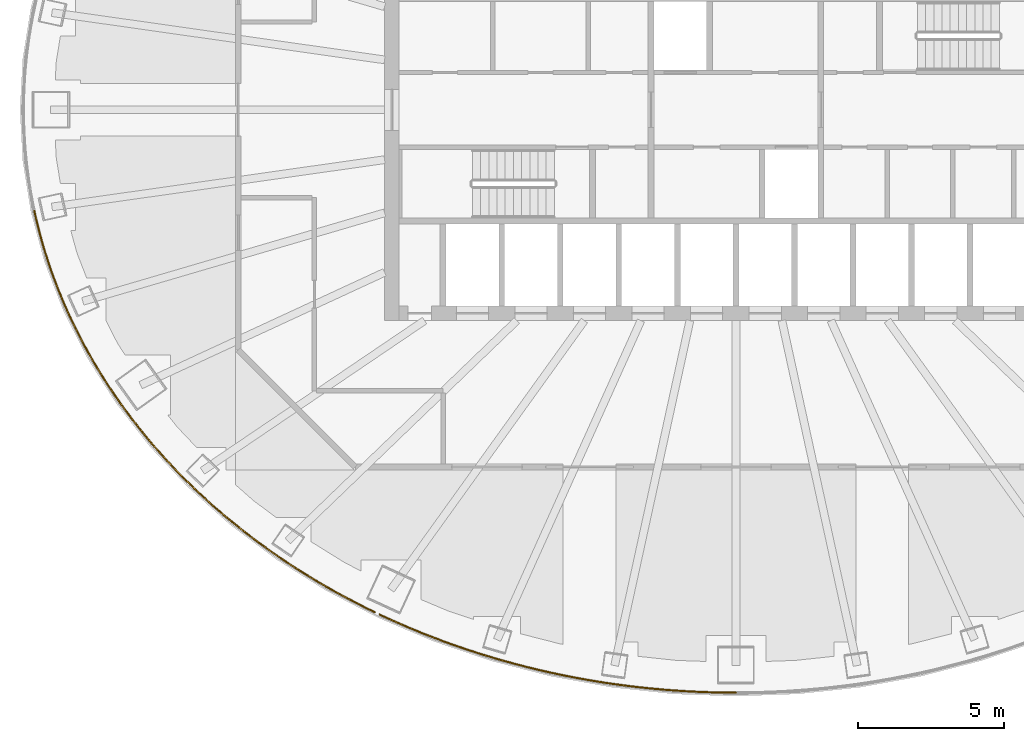
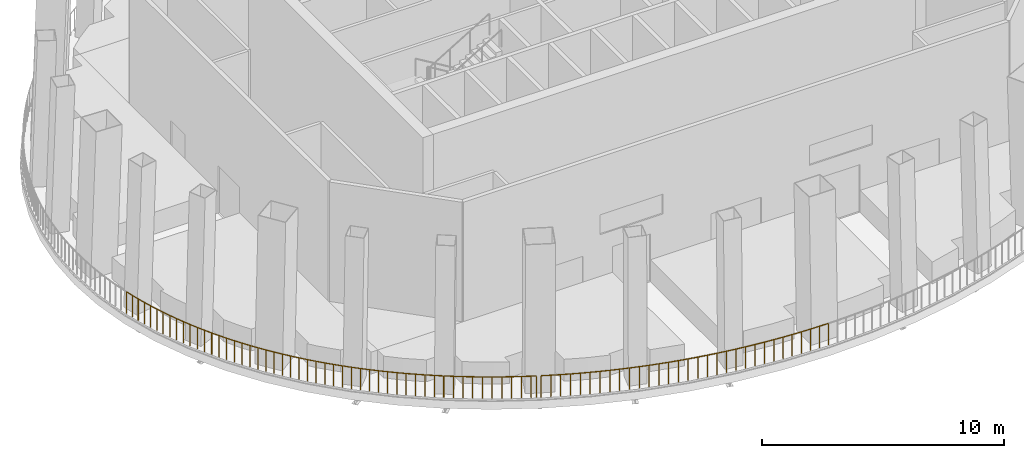
# One storey, part 8 of 15: 8 railings.
"""IFC4 building model written with IfcOpenShell, lengths in metres."""

from ifc_helpers import new_model, si_unit, direction, frame, origin, origin_2d, place, context, subcontext, project, spatial, circle, extrude, material, type_object, element, save


model = new_model("IFC4")

# Units and contexts
model_context = context("Model", 3, precision=1e-05, world=origin(), true_north=direction((0.0, 1.0)))
body_context = subcontext(model_context, "Body", "Model", "MODEL_VIEW")
ifc_project = project(units=[si_unit("LENGTHUNIT", "METRE"), si_unit("AREAUNIT", "SQUARE_METRE"), si_unit("VOLUMEUNIT", "CUBIC_METRE"), si_unit("PLANEANGLEUNIT", "RADIAN"), si_unit("MASSUNIT", "GRAM", prefix="KILO")], contexts=[model_context])

# Site, building, storey
site_placement = place(None, origin())
site = spatial("IfcSite", under=ifc_project, at=site_placement, CompositionType="ELEMENT")
building_placement = place(site_placement, origin())
building = spatial("IfcBuilding", under=site, at=building_placement, Name="Siaravel Broadcast Tower", CompositionType="ELEMENT")
storey_placement = place(building_placement, frame((0.0, 0.0, 145.199951171875)))
storey = spatial("IfcBuildingStorey", under=building, at=storey_placement, Name="L35", CompositionType="ELEMENT", Elevation=145.199951171875)

# Railings
ifc_material = material(Name="Steel S355", Category="steel")
railing_type = type_object("IfcRailingType", Name="Guard 1100", PredefinedType="GUARDRAIL", material=ifc_material)
railing_1_placement = place(storey_placement, frame((-23.963134765625, -3.457275390625, 0.080078125)))
element("IfcRailing", 1, at=railing_1_placement, inside=storey, type_object=railing_type, Name="L35 sky garden guard 20", PredefinedType="GUARDRAIL", context=body_context, shape_type="SweptSolid", body=[
    extrude(circle(Radius=0.02392578125, at=origin_2d()), frame((0.0, 0.0, 1.076171875), z_axis=(0.220988304, -0.975276458, 0.0), x_axis=(0.975276458, 0.220988304, 0.0)), (0.0, 0.0, 1.0), 0.35009765625),
    extrude(circle(Radius=0.02392578125, at=origin_2d()), frame((0.077392578125, -0.341552734375, 1.076171875), z_axis=(0.241389684, -0.970428267, 0.0), x_axis=(0.970428267, 0.241389684, 0.0)), (0.0, 0.0, 1.0), 0.35107421875),
    extrude(circle(Radius=0.02392578125, at=origin_2d()), frame((0.162109375, -0.68212890625, 1.076171875), z_axis=(0.261118919, -0.965306641, 0.0), x_axis=(0.965306641, 0.261118919, 0.0)), (0.0, 0.0, 1.0), 0.3515625),
    extrude(circle(Radius=0.02392578125, at=origin_2d()), frame((0.25390625, -1.021484375, 1.076171875), z_axis=(0.281490592, -0.959563988, 0.0), x_axis=(0.959563988, 0.281490592, 0.0)), (0.0, 0.0, 1.0), 0.35205078125),
    extrude(circle(Radius=0.02392578125, at=origin_2d()), frame((0.35302734375, -1.359375, 1.076171875), z_axis=(0.301661126, -0.953415211, 0.0), x_axis=(0.953415211, 0.301661126, 0.0)), (0.0, 0.0, 1.0), 0.352783203125),
    extrude(circle(Radius=0.02392578125, at=origin_2d()), frame((0.45947265625, -1.69580078125, 1.076171875), z_axis=(0.32119679, -0.947012472, 0.0), x_axis=(0.947012472, 0.32119679, 0.0)), (0.0, 0.0, 1.0), 0.353515625),
    extrude(circle(Radius=0.02392578125, at=origin_2d()), frame((0.572998046875, -2.030517578125, 1.076171875), z_axis=(0.340304572, -0.940315265, 0.0), x_axis=(0.940315265, 0.340304572, 0.0)), (0.0, 0.0, 1.0), 0.3544921875),
    extrude(circle(Radius=0.02392578125, at=origin_2d()), frame((0.693603515625, -2.36376953125, 1.076171875), z_axis=(0.359624078, -0.933097274, 0.0), x_axis=(0.933097274, 0.359624078, 0.0)), (0.0, 0.0, 1.0), 0.35498046875),
    extrude(circle(Radius=0.02392578125, at=origin_2d()), frame((0.8212890625, -2.695068359375, 1.076171875), z_axis=(0.378472655, -0.925612472, 0.0), x_axis=(0.925612472, 0.378472655, 0.0)), (0.0, 0.0, 1.0), 0.35595703125),
    extrude(circle(Radius=0.02392578125, at=origin_2d()), frame((0.9560546875, -3.024658203125, 1.076171875), z_axis=(0.396724251, -0.917937835, 0.0), x_axis=(0.917937835, 0.396724251, 0.0)), (0.0, 0.0, 1.0), 0.35693359375),
    extrude(circle(Radius=0.02099609375, at=origin_2d()), origin(), (0.0, 0.0, 1.0), 1.052001953125),
    extrude(circle(Radius=0.02099609375, at=origin_2d()), frame((0.077392578125, -0.341552734375, 0.0)), (0.0, 0.0, 1.0), 1.052001953125),
    extrude(circle(Radius=0.02099609375, at=origin_2d()), frame((0.162109375, -0.68212890625, 0.0)), (0.0, 0.0, 1.0), 1.052001953125),
    extrude(circle(Radius=0.02099609375, at=origin_2d()), frame((0.25390625, -1.021484375, 0.0)), (0.0, 0.0, 1.0), 1.052001953125),
    extrude(circle(Radius=0.02099609375, at=origin_2d()), frame((0.35302734375, -1.359375, 0.0)), (0.0, 0.0, 1.0), 1.052001953125),
    extrude(circle(Radius=0.02099609375, at=origin_2d()), frame((0.45947265625, -1.69580078125, 0.0)), (0.0, 0.0, 1.0), 1.052001953125),
    extrude(circle(Radius=0.02099609375, at=origin_2d()), frame((0.572998046875, -2.030517578125, 0.0)), (0.0, 0.0, 1.0), 1.052001953125),
    extrude(circle(Radius=0.02099609375, at=origin_2d()), frame((0.693603515625, -2.36376953125, 0.0)), (0.0, 0.0, 1.0), 1.052001953125),
    extrude(circle(Radius=0.02099609375, at=origin_2d()), frame((0.8212890625, -2.695068359375, 0.0)), (0.0, 0.0, 1.0), 1.052001953125),
    extrude(circle(Radius=0.02099609375, at=origin_2d()), frame((0.9560546875, -3.024658203125, 0.0)), (0.0, 0.0, 1.0), 1.052001953125),
    extrude(circle(Radius=0.02099609375, at=origin_2d()), frame((1.09765625, -3.352294921875, 0.0)), (0.0, 0.0, 1.0), 1.052001953125),
])
railing_2_placement = place(storey_placement, frame((-22.865478515625, -6.8095703125, 0.080078125)))
element("IfcRailing", 2, at=railing_2_placement, inside=storey, type_object=railing_type, Name="L35 sky garden guard 21", PredefinedType="GUARDRAIL", context=body_context, shape_type="SweptSolid", body=[
    extrude(circle(Radius=0.02392578125, at=origin_2d()), frame((0.0, 0.0, 1.076171875), z_axis=(0.416114394, -0.909312274, 0.0), x_axis=(0.909312274, 0.416114394, 0.0)), (0.0, 0.0, 1.0), 0.35791015625),
    extrude(circle(Radius=0.02392578125, at=origin_2d()), frame((0.14892578125, -0.325439453125, 1.076171875), z_axis=(0.43354957, -0.901129719, 0.0), x_axis=(0.901129719, 0.43354957, 0.0)), (0.0, 0.0, 1.0), 0.358642578125),
    extrude(circle(Radius=0.02392578125, at=origin_2d()), frame((0.304443359375, -0.648681640625, 1.076171875), z_axis=(0.451820833, -0.892108701, 0.0), x_axis=(0.892108701, 0.451820833, 0.0)), (0.0, 0.0, 1.0), 0.35986328125),
    extrude(circle(Radius=0.02392578125, at=origin_2d()), frame((0.467041015625, -0.9697265625, 1.076171875), z_axis=(0.469534429, -0.882914164, 0.0), x_axis=(0.882914164, 0.469534429, 0.0)), (0.0, 0.0, 1.0), 0.36083984375),
    extrude(circle(Radius=0.02392578125, at=origin_2d()), frame((0.636474609375, -1.288330078125, 1.076171875), z_axis=(0.486158101, -0.873870872, 0.0), x_axis=(0.873870872, 0.486158101, 0.0)), (0.0, 0.0, 1.0), 0.362060546875),
    extrude(circle(Radius=0.02392578125, at=origin_2d()), frame((0.8125, -1.604736328125, 1.076171875), z_axis=(0.503871026, -0.863778901, 0.0), x_axis=(0.863778901, 0.503871026, 0.0)), (0.0, 0.0, 1.0), 0.36279296875),
    extrude(circle(Radius=0.02392578125, at=origin_2d()), frame((0.995361328125, -1.918212890625, 1.076171875), z_axis=(0.520202124, -0.854043178, 0.0), x_axis=(0.854043178, 0.520202124, 0.0)), (0.0, 0.0, 1.0), 0.3642578125),
    extrude(circle(Radius=0.02392578125, at=origin_2d()), frame((1.184814453125, -2.229248046875, 1.076171875), z_axis=(0.536832233, -0.843689014, 0.0), x_axis=(0.843689014, 0.536832233, 0.0)), (0.0, 0.0, 1.0), 0.365234375),
    extrude(circle(Radius=0.02392578125, at=origin_2d()), frame((1.380859375, -2.537353515625, 1.076171875), z_axis=(0.552854278, -0.833277953, 0.0), x_axis=(0.833277953, 0.552854278, 0.0)), (0.0, 0.0, 1.0), 0.366455078125),
    extrude(circle(Radius=0.02392578125, at=origin_2d()), frame((1.58349609375, -2.8427734375, 1.076171875), z_axis=(0.56886476, -0.822431082, 0.0), x_axis=(0.822431082, 0.56886476, 0.0)), (0.0, 0.0, 1.0), 0.367919921875),
    extrude(circle(Radius=0.02099609375, at=origin_2d()), origin(), (0.0, 0.0, 1.0), 1.052001953125),
    extrude(circle(Radius=0.02099609375, at=origin_2d()), frame((0.14892578125, -0.325439453125, 0.0)), (0.0, 0.0, 1.0), 1.052001953125),
    extrude(circle(Radius=0.02099609375, at=origin_2d()), frame((0.304443359375, -0.648681640625, 0.0)), (0.0, 0.0, 1.0), 1.052001953125),
    extrude(circle(Radius=0.02099609375, at=origin_2d()), frame((0.467041015625, -0.9697265625, 0.0)), (0.0, 0.0, 1.0), 1.052001953125),
    extrude(circle(Radius=0.02099609375, at=origin_2d()), frame((0.636474609375, -1.288330078125, 0.0)), (0.0, 0.0, 1.0), 1.052001953125),
    extrude(circle(Radius=0.02099609375, at=origin_2d()), frame((0.8125, -1.604736328125, 0.0)), (0.0, 0.0, 1.0), 1.052001953125),
    extrude(circle(Radius=0.02099609375, at=origin_2d()), frame((0.995361328125, -1.918212890625, 0.0)), (0.0, 0.0, 1.0), 1.052001953125),
    extrude(circle(Radius=0.02099609375, at=origin_2d()), frame((1.184814453125, -2.229248046875, 0.0)), (0.0, 0.0, 1.0), 1.052001953125),
    extrude(circle(Radius=0.02099609375, at=origin_2d()), frame((1.380859375, -2.537353515625, 0.0)), (0.0, 0.0, 1.0), 1.052001953125),
    extrude(circle(Radius=0.02099609375, at=origin_2d()), frame((1.58349609375, -2.8427734375, 0.0)), (0.0, 0.0, 1.0), 1.052001953125),
    extrude(circle(Radius=0.02099609375, at=origin_2d()), frame((1.792724609375, -3.145263671875, 0.0)), (0.0, 0.0, 1.0), 1.052001953125),
])
railing_3_placement = place(storey_placement, frame((-21.07275390625, -9.954833984375, 0.080078125)))
element("IfcRailing", 3, at=railing_3_placement, inside=storey, type_object=railing_type, Name="L35 sky garden guard 22", PredefinedType="GUARDRAIL", context=body_context, shape_type="SweptSolid", body=[
    extrude(circle(Radius=0.02392578125, at=origin_2d()), frame((0.0, 0.0, 1.076171875), z_axis=(0.583990715, -0.811760337, 0.0), x_axis=(0.811760337, 0.583990715, 0.0)), (0.0, 0.0, 1.0), 0.36865234375),
    extrude(circle(Radius=0.02392578125, at=origin_2d()), frame((0.21533203125, -0.29931640625, 1.076171875), z_axis=(0.599366818, -0.800474496, 0.0), x_axis=(0.800474496, 0.599366818, 0.0)), (0.0, 0.0, 1.0), 0.370361328125),
    extrude(circle(Radius=0.02392578125, at=origin_2d()), frame((0.437255859375, -0.595703125, 1.076171875), z_axis=(0.614623017, -0.788820985, 0.0), x_axis=(0.788820985, 0.614623017, 0.0)), (0.0, 0.0, 1.0), 0.371337890625),
    extrude(circle(Radius=0.02392578125, at=origin_2d()), frame((0.66552734375, -0.888671875, 1.076171875), z_axis=(0.628840132, -0.777534622, 0.0), x_axis=(0.777534622, 0.628840132, 0.0)), (0.0, 0.0, 1.0), 0.372802734375),
    extrude(circle(Radius=0.02392578125, at=origin_2d()), frame((0.89990234375, -1.178466796875, 1.076171875), z_axis=(0.64306959, -0.765807745, 0.0), x_axis=(0.765807745, 0.64306959, 0.0)), (0.0, 0.0, 1.0), 0.3740234375),
    extrude(circle(Radius=0.02392578125, at=origin_2d()), frame((1.140380859375, -1.46484375, 1.076171875), z_axis=(0.65735304, -0.753582763, 0.0), x_axis=(0.753582763, 0.65735304, 0.0)), (0.0, 0.0, 1.0), 0.37548828125),
    extrude(circle(Radius=0.02392578125, at=origin_2d()), frame((1.38720703125, -1.747802734375, 1.076171875), z_axis=(0.670539669, -0.741873677, 0.0), x_axis=(0.741873677, 0.670539669, 0.0)), (0.0, 0.0, 1.0), 0.37646484375),
    extrude(circle(Radius=0.02392578125, at=origin_2d()), frame((1.6396484375, -2.027099609375, 1.076171875), z_axis=(0.684134508, -0.729355863, 0.0), x_axis=(0.729355863, 0.684134508, 0.0)), (0.0, 0.0, 1.0), 0.3779296875),
    extrude(circle(Radius=0.02392578125, at=origin_2d()), frame((1.898193359375, -2.302734375, 1.076171875), z_axis=(0.697060011, -0.71701279, 0.0), x_axis=(0.71701279, 0.697060011, 0.0)), (0.0, 0.0, 1.0), 0.37939453125),
    extrude(circle(Radius=0.02392578125, at=origin_2d()), frame((2.16259765625, -2.57470703125, 1.076171875), z_axis=(0.709987017, -0.704214765, 0.0), x_axis=(0.704214765, 0.709987017, 0.0)), (0.0, 0.0, 1.0), 0.380615234375),
    extrude(circle(Radius=0.02099609375, at=origin_2d()), origin(), (0.0, 0.0, 1.0), 1.052001953125),
    extrude(circle(Radius=0.02099609375, at=origin_2d()), frame((0.21533203125, -0.29931640625, 0.0)), (0.0, 0.0, 1.0), 1.052001953125),
    extrude(circle(Radius=0.02099609375, at=origin_2d()), frame((0.437255859375, -0.595703125, 0.0)), (0.0, 0.0, 1.0), 1.052001953125),
    extrude(circle(Radius=0.02099609375, at=origin_2d()), frame((0.66552734375, -0.888671875, 0.0)), (0.0, 0.0, 1.0), 1.052001953125),
    extrude(circle(Radius=0.02099609375, at=origin_2d()), frame((0.89990234375, -1.178466796875, 0.0)), (0.0, 0.0, 1.0), 1.052001953125),
    extrude(circle(Radius=0.02099609375, at=origin_2d()), frame((1.140380859375, -1.46484375, 0.0)), (0.0, 0.0, 1.0), 1.052001953125),
    extrude(circle(Radius=0.02099609375, at=origin_2d()), frame((1.38720703125, -1.747802734375, 0.0)), (0.0, 0.0, 1.0), 1.052001953125),
    extrude(circle(Radius=0.02099609375, at=origin_2d()), frame((1.6396484375, -2.027099609375, 0.0)), (0.0, 0.0, 1.0), 1.052001953125),
    extrude(circle(Radius=0.02099609375, at=origin_2d()), frame((1.898193359375, -2.302734375, 0.0)), (0.0, 0.0, 1.0), 1.052001953125),
    extrude(circle(Radius=0.02099609375, at=origin_2d()), frame((2.16259765625, -2.57470703125, 0.0)), (0.0, 0.0, 1.0), 1.052001953125),
    extrude(circle(Radius=0.02099609375, at=origin_2d()), frame((2.432861328125, -2.8427734375, 0.0)), (0.0, 0.0, 1.0), 1.052001953125),
])
railing_4_placement = place(storey_placement, frame((-18.639892578125, -12.797607421875, 0.080078125)))
element("IfcRailing", 4, at=railing_4_placement, inside=storey, type_object=railing_type, Name="L35 sky garden guard 23", PredefinedType="GUARDRAIL", context=body_context, shape_type="SweptSolid", body=[
    extrude(circle(Radius=0.02392578125, at=origin_2d()), frame((0.0, 0.0, 1.076171875), z_axis=(0.721655507, -0.69225236, 0.0), x_axis=(0.69225236, 0.721655507, 0.0)), (0.0, 0.0, 1.0), 0.3818359375),
    extrude(circle(Radius=0.02392578125, at=origin_2d()), frame((0.275634765625, -0.264404296875, 1.076171875), z_axis=(0.734583574, -0.678518219, 0.0), x_axis=(0.678518219, 0.734583574, 0.0)), (0.0, 0.0, 1.0), 0.38330078125),
    extrude(circle(Radius=0.02392578125, at=origin_2d()), frame((0.55712890625, -0.5244140625, 1.076171875), z_axis=(0.745656101, -0.666330984, 0.0), x_axis=(0.666330984, 0.745656101, 0.0)), (0.0, 0.0, 1.0), 0.384765625),
    extrude(circle(Radius=0.02392578125, at=origin_2d()), frame((0.843994140625, -0.78076171875, 1.076171875), z_axis=(0.75737759, -0.652977171, 0.0), x_axis=(0.652977171, 0.75737759, 0.0)), (0.0, 0.0, 1.0), 0.3857421875),
    extrude(circle(Radius=0.02392578125, at=origin_2d()), frame((1.13623046875, -1.03271484375, 1.076171875), z_axis=(0.768737515, -0.639564408, 0.0), x_axis=(0.639564408, 0.768737515, 0.0)), (0.0, 0.0, 1.0), 0.387451171875),
    extrude(circle(Radius=0.02392578125, at=origin_2d()), frame((1.43408203125, -1.280517578125, 1.076171875), z_axis=(0.779026654, -0.626990807, 0.0), x_axis=(0.626990807, 0.779026654, 0.0)), (0.0, 0.0, 1.0), 0.388671875),
    extrude(circle(Radius=0.02392578125, at=origin_2d()), frame((1.73681640625, -1.524169921875, 1.076171875), z_axis=(0.78982378, -0.613333838, 0.0), x_axis=(0.613333838, 0.78982378, 0.0)), (0.0, 0.0, 1.0), 0.39013671875),
    extrude(circle(Radius=0.02392578125, at=origin_2d()), frame((2.044921875, -1.763427734375, 1.076171875), z_axis=(0.800374142, -0.599500819, 0.0), x_axis=(0.599500819, 0.800374142, 0.0)), (0.0, 0.0, 1.0), 0.391357421875),
    extrude(circle(Radius=0.02392578125, at=origin_2d()), frame((2.358154296875, -1.998046875, 1.076171875), z_axis=(0.809891172, -0.586580165, 0.0), x_axis=(0.586580165, 0.809891172, 0.0)), (0.0, 0.0, 1.0), 0.392578125),
    extrude(circle(Radius=0.02392578125, at=origin_2d()), frame((2.676025390625, -2.228271484375, 1.076171875), z_axis=(0.819449012, -0.573152089, 0.0), x_axis=(0.573152089, 0.819449012, 0.0)), (0.0, 0.0, 1.0), 0.36962890625),
    extrude(circle(Radius=0.02099609375, at=origin_2d()), origin(), (0.0, 0.0, 1.0), 1.052001953125),
    extrude(circle(Radius=0.02099609375, at=origin_2d()), frame((0.275634765625, -0.264404296875, 0.0)), (0.0, 0.0, 1.0), 1.052001953125),
    extrude(circle(Radius=0.02099609375, at=origin_2d()), frame((0.55712890625, -0.5244140625, 0.0)), (0.0, 0.0, 1.0), 1.052001953125),
    extrude(circle(Radius=0.02099609375, at=origin_2d()), frame((0.843994140625, -0.78076171875, 0.0)), (0.0, 0.0, 1.0), 1.052001953125),
    extrude(circle(Radius=0.02099609375, at=origin_2d()), frame((1.13623046875, -1.03271484375, 0.0)), (0.0, 0.0, 1.0), 1.052001953125),
    extrude(circle(Radius=0.02099609375, at=origin_2d()), frame((1.43408203125, -1.280517578125, 0.0)), (0.0, 0.0, 1.0), 1.052001953125),
    extrude(circle(Radius=0.02099609375, at=origin_2d()), frame((1.73681640625, -1.524169921875, 0.0)), (0.0, 0.0, 1.0), 1.052001953125),
    extrude(circle(Radius=0.02099609375, at=origin_2d()), frame((2.044921875, -1.763427734375, 0.0)), (0.0, 0.0, 1.0), 1.052001953125),
    extrude(circle(Radius=0.02099609375, at=origin_2d()), frame((2.358154296875, -1.998046875, 0.0)), (0.0, 0.0, 1.0), 1.052001953125),
    extrude(circle(Radius=0.02099609375, at=origin_2d()), frame((2.676025390625, -2.228271484375, 0.0)), (0.0, 0.0, 1.0), 1.052001953125),
    extrude(circle(Radius=0.02099609375, at=origin_2d()), frame((2.97900390625, -2.440185546875, 0.0)), (0.0, 0.0, 1.0), 1.052001953125),
])
railing_5_placement = place(storey_placement, frame((-15.639892578125, -15.252197265625, 0.080078125)))
element("IfcRailing", 5, at=railing_5_placement, inside=storey, type_object=railing_type, Name="L35 sky garden guard 24", PredefinedType="GUARDRAIL", context=body_context, shape_type="SweptSolid", body=[
    extrude(circle(Radius=0.02392578125, at=origin_2d()), frame((0.0, 0.0, 1.076171875), z_axis=(0.829085479, -0.559121873, 0.0), x_axis=(0.559121873, 0.829085479, 0.0)), (0.0, 0.0, 1.0), 0.394287109375),
    extrude(circle(Radius=0.02392578125, at=origin_2d()), frame((0.326904296875, -0.220458984375, 1.076171875), z_axis=(0.838063561, -0.545572605, 0.0), x_axis=(0.545572605, 0.838063561, 0.0)), (0.0, 0.0, 1.0), 0.396484375),
    extrude(circle(Radius=0.02392578125, at=origin_2d()), frame((0.6591796875, -0.436767578125, 1.076171875), z_axis=(0.847031383, -0.531542882, 0.0), x_axis=(0.531542882, 0.847031383, 0.0)), (0.0, 0.0, 1.0), 0.397705078125),
    extrude(circle(Radius=0.02392578125, at=origin_2d()), frame((0.99609375, -0.648193359375, 1.076171875), z_axis=(0.855271779, -0.518179683, 0.0), x_axis=(0.518179683, 0.855271779, 0.0)), (0.0, 0.0, 1.0), 0.399169921875),
    extrude(circle(Radius=0.02392578125, at=origin_2d()), frame((1.33740234375, -0.85498046875, 1.076171875), z_axis=(0.863513365, -0.504325955, 0.0), x_axis=(0.504325955, 0.863513365, 0.0)), (0.0, 0.0, 1.0), 0.400390625),
    extrude(circle(Radius=0.02392578125, at=origin_2d()), frame((1.68310546875, -1.056884765625, 1.076171875), z_axis=(0.871737838, -0.489972592, 0.0), x_axis=(0.489972592, 0.871737838, 0.0)), (0.0, 0.0, 1.0), 0.401611328125),
    extrude(circle(Radius=0.02392578125, at=origin_2d()), frame((2.033203125, -1.253662109375, 1.076171875), z_axis=(0.879397774, -0.47608776, 0.0), x_axis=(0.47608776, 0.879397774, 0.0)), (0.0, 0.0, 1.0), 0.402587890625),
    extrude(circle(Radius=0.02392578125, at=origin_2d()), frame((2.38720703125, -1.4453125, 1.076171875), z_axis=(0.886810939, -0.462132404, 0.0), x_axis=(0.462132404, 0.886810939, 0.0)), (0.0, 0.0, 1.0), 0.404052734375),
    extrude(circle(Radius=0.02392578125, at=origin_2d()), frame((2.74560546875, -1.632080078125, 1.076171875), z_axis=(0.893823666, -0.448418616, 0.0), x_axis=(0.448418616, 0.893823666, 0.0)), (0.0, 0.0, 1.0), 0.405029296875),
    extrude(circle(Radius=0.02392578125, at=origin_2d()), frame((3.107666015625, -1.813720703125, 1.076171875), z_axis=(0.899571677, -0.436773166, 0.0), x_axis=(0.436773166, 0.899571677, 0.0)), (0.0, 0.0, 1.0), 0.2158203125),
    extrude(circle(Radius=0.02099609375, at=origin_2d()), origin(), (0.0, 0.0, 1.0), 1.052001953125),
    extrude(circle(Radius=0.02099609375, at=origin_2d()), frame((0.326904296875, -0.220458984375, 0.0)), (0.0, 0.0, 1.0), 1.052001953125),
    extrude(circle(Radius=0.02099609375, at=origin_2d()), frame((0.6591796875, -0.436767578125, 0.0)), (0.0, 0.0, 1.0), 1.052001953125),
    extrude(circle(Radius=0.02099609375, at=origin_2d()), frame((0.99609375, -0.648193359375, 0.0)), (0.0, 0.0, 1.0), 1.052001953125),
    extrude(circle(Radius=0.02099609375, at=origin_2d()), frame((1.33740234375, -0.85498046875, 0.0)), (0.0, 0.0, 1.0), 1.052001953125),
    extrude(circle(Radius=0.02099609375, at=origin_2d()), frame((1.68310546875, -1.056884765625, 0.0)), (0.0, 0.0, 1.0), 1.052001953125),
    extrude(circle(Radius=0.02099609375, at=origin_2d()), frame((2.033203125, -1.253662109375, 0.0)), (0.0, 0.0, 1.0), 1.052001953125),
    extrude(circle(Radius=0.02099609375, at=origin_2d()), frame((2.38720703125, -1.4453125, 0.0)), (0.0, 0.0, 1.0), 1.052001953125),
    extrude(circle(Radius=0.02099609375, at=origin_2d()), frame((2.74560546875, -1.632080078125, 0.0)), (0.0, 0.0, 1.0), 1.052001953125),
    extrude(circle(Radius=0.02099609375, at=origin_2d()), frame((3.107666015625, -1.813720703125, 0.0)), (0.0, 0.0, 1.0), 1.052001953125),
    extrude(circle(Radius=0.02099609375, at=origin_2d()), frame((3.3017578125, -1.907958984375, 0.0)), (0.0, 0.0, 1.0), 1.052001953125),
])
railing_6_placement = place(storey_placement, frame((-12.16650390625, -17.2421875, 0.080078125)))
element("IfcRailing", 6, at=railing_6_placement, inside=storey, type_object=railing_type, Name="L35 sky garden guard 25", PredefinedType="GUARDRAIL", context=body_context, shape_type="SweptSolid", body=[
    extrude(circle(Radius=0.02392578125, at=origin_2d()), frame((0.0, 0.0, 1.076171875), z_axis=(0.90744998, -0.420160129, 0.0), x_axis=(0.420160129, 0.90744998, 0.0)), (0.0, 0.0, 1.0), 0.4072265625),
    extrude(circle(Radius=0.02392578125, at=origin_2d()), frame((0.36962890625, -0.171142578125, 1.076171875), z_axis=(0.913934751, -0.405861148, 0.0), x_axis=(0.405861148, 0.913934751, 0.0)), (0.0, 0.0, 1.0), 0.408447265625),
    extrude(circle(Radius=0.02392578125, at=origin_2d()), frame((0.742919921875, -0.3369140625, 1.076171875), z_axis=(0.920067764, -0.391759249, 0.0), x_axis=(0.391759249, 0.920067764, 0.0)), (0.0, 0.0, 1.0), 0.409423828125),
    extrude(circle(Radius=0.02392578125, at=origin_2d()), frame((1.11962890625, -0.497314453125, 1.076171875), z_axis=(0.925953766, -0.377636893, 0.0), x_axis=(0.377636893, 0.925953766, 0.0)), (0.0, 0.0, 1.0), 0.41064453125),
    extrude(circle(Radius=0.02392578125, at=origin_2d()), frame((1.499755859375, -0.65234375, 1.076171875), z_axis=(0.931513893, -0.363705743, 0.0), x_axis=(0.363705743, 0.931513893, 0.0)), (0.0, 0.0, 1.0), 0.411376953125),
    extrude(circle(Radius=0.02392578125, at=origin_2d()), frame((1.883056640625, -0.802001953125, 1.076171875), z_axis=(0.937032744, -0.349241516, 0.0), x_axis=(0.349241516, 0.937032744, 0.0)), (0.0, 0.0, 1.0), 0.412353515625),
    extrude(circle(Radius=0.02392578125, at=origin_2d()), frame((2.26953125, -0.946044921875, 1.076171875), z_axis=(0.942048858, -0.335475706, 0.0), x_axis=(0.335475706, 0.942048858, 0.0)), (0.0, 0.0, 1.0), 0.413330078125),
    extrude(circle(Radius=0.02392578125, at=origin_2d()), frame((2.658935546875, -1.084716796875, 1.076171875), z_axis=(0.947020316, -0.321173661, 0.0), x_axis=(0.321173661, 0.947020316, 0.0)), (0.0, 0.0, 1.0), 0.414306640625),
    extrude(circle(Radius=0.02392578125, at=origin_2d()), frame((3.05126953125, -1.2177734375, 1.076171875), z_axis=(0.951869286, -0.306504263, 0.0), x_axis=(0.306504263, 0.951869286, 0.0)), (0.0, 0.0, 1.0), 0.4150390625),
    extrude(circle(Radius=0.02392578125, at=origin_2d()), frame((3.4462890625, -1.344970703125, 1.076171875), z_axis=(0.956196605, -0.292725218, 0.0), x_axis=(0.292725218, 0.956196605, 0.0)), (0.0, 0.0, 1.0), 0.416259765625),
    extrude(circle(Radius=0.02099609375, at=origin_2d()), origin(), (0.0, 0.0, 1.0), 1.052001953125),
    extrude(circle(Radius=0.02099609375, at=origin_2d()), frame((0.36962890625, -0.171142578125, 0.0)), (0.0, 0.0, 1.0), 1.052001953125),
    extrude(circle(Radius=0.02099609375, at=origin_2d()), frame((0.742919921875, -0.3369140625, 0.0)), (0.0, 0.0, 1.0), 1.052001953125),
    extrude(circle(Radius=0.02099609375, at=origin_2d()), frame((1.11962890625, -0.497314453125, 0.0)), (0.0, 0.0, 1.0), 1.052001953125),
    extrude(circle(Radius=0.02099609375, at=origin_2d()), frame((1.499755859375, -0.65234375, 0.0)), (0.0, 0.0, 1.0), 1.052001953125),
    extrude(circle(Radius=0.02099609375, at=origin_2d()), frame((1.883056640625, -0.802001953125, 0.0)), (0.0, 0.0, 1.0), 1.052001953125),
    extrude(circle(Radius=0.02099609375, at=origin_2d()), frame((2.26953125, -0.946044921875, 0.0)), (0.0, 0.0, 1.0), 1.052001953125),
    extrude(circle(Radius=0.02099609375, at=origin_2d()), frame((2.658935546875, -1.084716796875, 0.0)), (0.0, 0.0, 1.0), 1.052001953125),
    extrude(circle(Radius=0.02099609375, at=origin_2d()), frame((3.05126953125, -1.2177734375, 0.0)), (0.0, 0.0, 1.0), 1.052001953125),
    extrude(circle(Radius=0.02099609375, at=origin_2d()), frame((3.4462890625, -1.344970703125, 0.0)), (0.0, 0.0, 1.0), 1.052001953125),
    extrude(circle(Radius=0.02099609375, at=origin_2d()), frame((3.84423828125, -1.466796875, 0.0)), (0.0, 0.0, 1.0), 1.052001953125),
])
railing_7_placement = place(storey_placement, frame((-8.322265625, -18.708984375, 0.080078125)))
element("IfcRailing", 7, at=railing_7_placement, inside=storey, type_object=railing_type, Name="L35 sky garden guard 26", PredefinedType="GUARDRAIL", context=body_context, shape_type="SweptSolid", body=[
    extrude(circle(Radius=0.02392578125, at=origin_2d()), frame((0.0, 0.0, 1.076171875), z_axis=(0.96047772, -0.278356874, 0.0), x_axis=(0.278356874, 0.96047772, 0.0)), (0.0, 0.0, 1.0), 0.41650390625),
    extrude(circle(Radius=0.02392578125, at=origin_2d()), frame((0.400146484375, -0.115966796875, 1.076171875), z_axis=(0.964466449, -0.264205354, 0.0), x_axis=(0.264205354, 0.964466449, 0.0)), (0.0, 0.0, 1.0), 0.417724609375),
    extrude(circle(Radius=0.02392578125, at=origin_2d()), frame((0.802978515625, -0.226318359375, 1.076171875), z_axis=(0.968436589, -0.24926005, 0.0), x_axis=(0.24926005, 0.968436589, 0.0)), (0.0, 0.0, 1.0), 0.418212890625),
    extrude(circle(Radius=0.02392578125, at=origin_2d()), frame((1.2080078125, -0.33056640625, 1.076171875), z_axis=(0.971898599, -0.2353999, 0.0), x_axis=(0.2353999, 0.971898599, 0.0)), (0.0, 0.0, 1.0), 0.4189453125),
    extrude(circle(Radius=0.02392578125, at=origin_2d()), frame((1.615234375, -0.42919921875, 1.076171875), z_axis=(0.975121424, -0.221671398, 0.0), x_axis=(0.221671398, 0.975121424, 0.0)), (0.0, 0.0, 1.0), 0.419677734375),
    extrude(circle(Radius=0.02392578125, at=origin_2d()), frame((2.0244140625, -0.522216796875, 1.076171875), z_axis=(0.978376842, -0.206830259, 0.0), x_axis=(0.206830259, 0.978376842, 0.0)), (0.0, 0.0, 1.0), 0.420166015625),
    extrude(circle(Radius=0.02392578125, at=origin_2d()), frame((2.435546875, -0.609130859375, 1.076171875), z_axis=(0.981178249, -0.19310423, 0.0), x_axis=(0.19310423, 0.981178249, 0.0)), (0.0, 0.0, 1.0), 0.4208984375),
    extrude(circle(Radius=0.02392578125, at=origin_2d()), frame((2.8486328125, -0.6904296875, 1.076171875), z_axis=(0.983943998, -0.178477474, 0.0), x_axis=(0.178477474, 0.983943998, 0.0)), (0.0, 0.0, 1.0), 0.42138671875),
    extrude(circle(Radius=0.02392578125, at=origin_2d()), frame((3.26318359375, -0.765625, 1.076171875), z_axis=(0.986503169, -0.163742168, 0.0), x_axis=(0.163742168, 0.986503169, 0.0)), (0.0, 0.0, 1.0), 0.421875),
    extrude(circle(Radius=0.02392578125, at=origin_2d()), frame((3.679443359375, -0.834716796875, 1.076171875), z_axis=(0.988637523, -0.150319156, 0.0), x_axis=(0.150319156, 0.988637523, 0.0)), (0.0, 0.0, 1.0), 0.42236328125),
    extrude(circle(Radius=0.02099609375, at=origin_2d()), origin(), (0.0, 0.0, 1.0), 1.052001953125),
    extrude(circle(Radius=0.02099609375, at=origin_2d()), frame((0.400146484375, -0.115966796875, 0.0)), (0.0, 0.0, 1.0), 1.052001953125),
    extrude(circle(Radius=0.02099609375, at=origin_2d()), frame((0.802978515625, -0.226318359375, 0.0)), (0.0, 0.0, 1.0), 1.052001953125),
    extrude(circle(Radius=0.02099609375, at=origin_2d()), frame((1.2080078125, -0.33056640625, 0.0)), (0.0, 0.0, 1.0), 1.052001953125),
    extrude(circle(Radius=0.02099609375, at=origin_2d()), frame((1.615234375, -0.42919921875, 0.0)), (0.0, 0.0, 1.0), 1.052001953125),
    extrude(circle(Radius=0.02099609375, at=origin_2d()), frame((2.0244140625, -0.522216796875, 0.0)), (0.0, 0.0, 1.0), 1.052001953125),
    extrude(circle(Radius=0.02099609375, at=origin_2d()), frame((2.435546875, -0.609130859375, 0.0)), (0.0, 0.0, 1.0), 1.052001953125),
    extrude(circle(Radius=0.02099609375, at=origin_2d()), frame((2.8486328125, -0.6904296875, 0.0)), (0.0, 0.0, 1.0), 1.052001953125),
    extrude(circle(Radius=0.02099609375, at=origin_2d()), frame((3.26318359375, -0.765625, 0.0)), (0.0, 0.0, 1.0), 1.052001953125),
    extrude(circle(Radius=0.02099609375, at=origin_2d()), frame((3.679443359375, -0.834716796875, 0.0)), (0.0, 0.0, 1.0), 1.052001953125),
    extrude(circle(Radius=0.02099609375, at=origin_2d()), frame((4.096923828125, -0.898193359375, 0.0)), (0.0, 0.0, 1.0), 1.052001953125),
])
railing_8_placement = place(storey_placement, frame((-4.225341796875, -19.607177734375, 0.080078125)))
element("IfcRailing", 8, at=railing_8_placement, inside=storey, type_object=railing_type, Name="L35 sky garden guard 27", PredefinedType="GUARDRAIL", context=body_context, shape_type="SweptSolid", body=[
    extrude(circle(Radius=0.02392578125, at=origin_2d()), frame((0.0, 0.0, 1.076171875), z_axis=(0.990752712, -0.135680004, 0.0), x_axis=(0.135680004, 0.990752712, 0.0)), (0.0, 0.0, 1.0), 0.4228515625),
    extrude(circle(Radius=0.02392578125, at=origin_2d()), frame((0.4189453125, -0.057373046875, 1.076171875), z_axis=(0.992628954, -0.12119307, 0.0), x_axis=(0.12119307, 0.992628954, 0.0)), (0.0, 0.0, 1.0), 0.423095703125),
    extrude(circle(Radius=0.02392578125, at=origin_2d()), frame((0.8388671875, -0.108642578125, 1.076171875), z_axis=(0.994236972, -0.107204682, 0.0), x_axis=(0.107204682, 0.994236972, 0.0)), (0.0, 0.0, 1.0), 0.423583984375),
    extrude(circle(Radius=0.02392578125, at=origin_2d()), frame((1.260009765625, -0.154052734375, 1.076171875), z_axis=(0.995687611, -0.092769505, 0.0), x_axis=(0.092769505, 0.995687611, 0.0)), (0.0, 0.0, 1.0), 0.423583984375),
    extrude(circle(Radius=0.02392578125, at=origin_2d()), frame((1.681884765625, -0.193359375, 1.076171875), z_axis=(0.996931336, -0.078280982, 0.0), x_axis=(0.078280982, 0.996931336, 0.0)), (0.0, 0.0, 1.0), 0.424072265625),
    extrude(circle(Radius=0.02392578125, at=origin_2d()), frame((2.104736328125, -0.2265625, 1.076171875), z_axis=(0.997918142, -0.064493267, 0.0), x_axis=(0.064493267, 0.997918142, 0.0)), (0.0, 0.0, 1.0), 0.424072265625),
    extrude(circle(Radius=0.02392578125, at=origin_2d()), frame((2.52783203125, -0.25390625, 1.076171875), z_axis=(0.998748034, -0.050023649, 0.0), x_axis=(0.050023649, 0.998748034, 0.0)), (0.0, 0.0, 1.0), 0.424560546875),
    extrude(circle(Radius=0.02392578125, at=origin_2d()), frame((2.951904296875, -0.275146484375, 1.076171875), z_axis=(0.999364318, -0.035650511, 0.0), x_axis=(0.035650511, 0.999364318, 0.0)), (0.0, 0.0, 1.0), 0.424560546875),
    extrude(circle(Radius=0.02392578125, at=origin_2d()), frame((3.376220703125, -0.290283203125, 1.076171875), z_axis=(0.99977347, -0.021284015, 0.0), x_axis=(0.021284015, 0.99977347, 0.0)), (0.0, 0.0, 1.0), 0.42431640625),
    extrude(circle(Radius=0.02392578125, at=origin_2d()), frame((3.800537109375, -0.29931640625, 1.076171875), z_axis=(0.999972091, -0.007471056, 0.0), x_axis=(0.007471056, 0.999972091, 0.0)), (0.0, 0.0, 1.0), 0.4248046875),
    extrude(circle(Radius=0.02099609375, at=origin_2d()), origin(), (0.0, 0.0, 1.0), 1.052001953125),
    extrude(circle(Radius=0.02099609375, at=origin_2d()), frame((0.4189453125, -0.057373046875, 0.0)), (0.0, 0.0, 1.0), 1.052001953125),
    extrude(circle(Radius=0.02099609375, at=origin_2d()), frame((0.8388671875, -0.108642578125, 0.0)), (0.0, 0.0, 1.0), 1.052001953125),
    extrude(circle(Radius=0.02099609375, at=origin_2d()), frame((1.260009765625, -0.154052734375, 0.0)), (0.0, 0.0, 1.0), 1.052001953125),
    extrude(circle(Radius=0.02099609375, at=origin_2d()), frame((1.681884765625, -0.193359375, 0.0)), (0.0, 0.0, 1.0), 1.052001953125),
    extrude(circle(Radius=0.02099609375, at=origin_2d()), frame((2.104736328125, -0.2265625, 0.0)), (0.0, 0.0, 1.0), 1.052001953125),
    extrude(circle(Radius=0.02099609375, at=origin_2d()), frame((2.52783203125, -0.25390625, 0.0)), (0.0, 0.0, 1.0), 1.052001953125),
    extrude(circle(Radius=0.02099609375, at=origin_2d()), frame((2.951904296875, -0.275146484375, 0.0)), (0.0, 0.0, 1.0), 1.052001953125),
    extrude(circle(Radius=0.02099609375, at=origin_2d()), frame((3.376220703125, -0.290283203125, 0.0)), (0.0, 0.0, 1.0), 1.052001953125),
    extrude(circle(Radius=0.02099609375, at=origin_2d()), frame((3.800537109375, -0.29931640625, 0.0)), (0.0, 0.0, 1.0), 1.052001953125),
    extrude(circle(Radius=0.02099609375, at=origin_2d()), frame((4.225341796875, -0.302490234375, 0.0)), (0.0, 0.0, 1.0), 1.052001953125),
])

save(model, "model.ifc")
